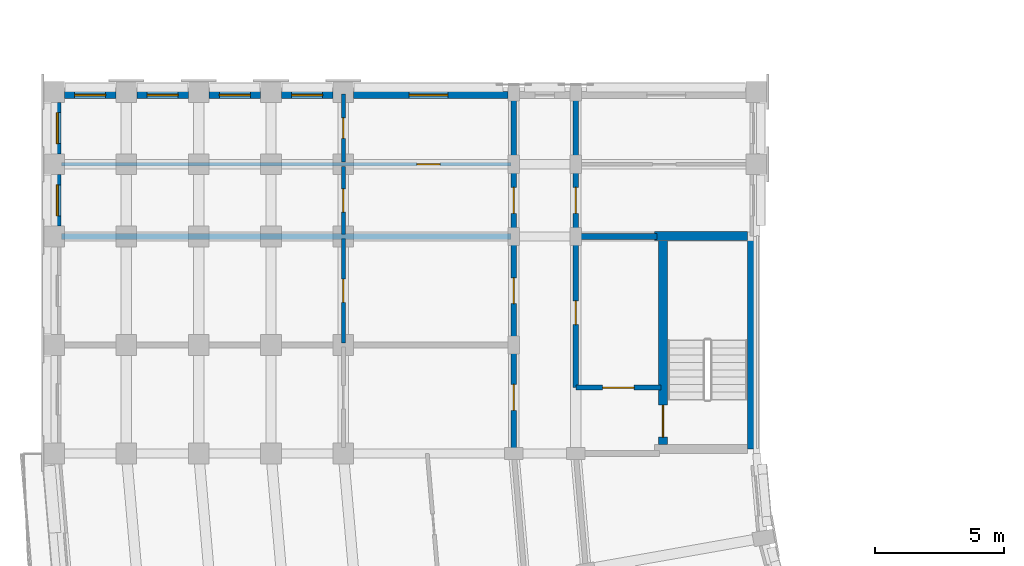
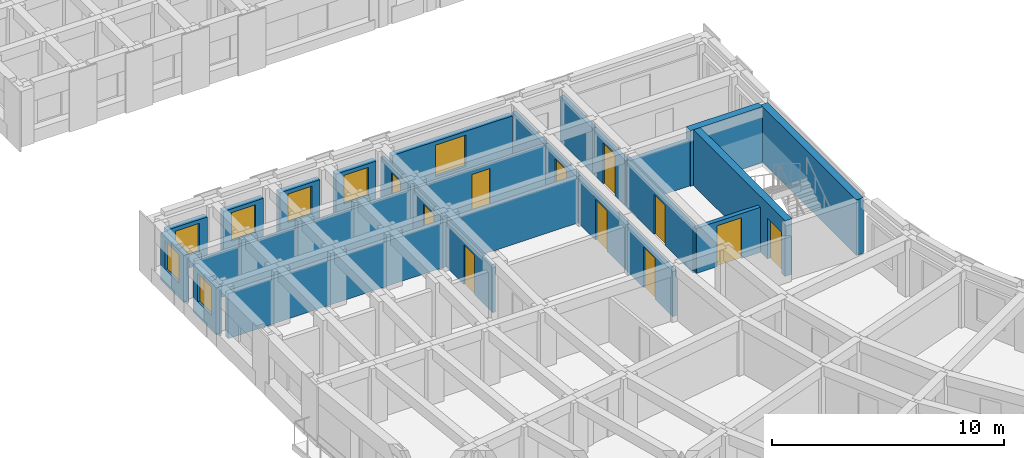
# One storey, part 19 of 54: 24 walls, 11 doors, 7 windows, 18 openings.
"""IFC4 building model written with IfcOpenShell, lengths in metres."""

from ifc_helpers import new_model, si_unit, direction, frame, frame_2d, origin, place, context, subcontext, project, spatial, rectangle, extrude, material, layer, layer_set, type_object, element, fill, save


model = new_model("IFC4")

# Units and contexts
model_context = context("Model", 3, precision=1e-05, world=origin(), true_north=direction((0.0, 1.0)))
body_context = subcontext(model_context, "Body", "Model", "MODEL_VIEW")
ifc_project = project(units=[si_unit("LENGTHUNIT", "METRE"), si_unit("AREAUNIT", "SQUARE_METRE"), si_unit("VOLUMEUNIT", "CUBIC_METRE"), si_unit("PLANEANGLEUNIT", "RADIAN"), si_unit("MASSUNIT", "GRAM", prefix="KILO")], contexts=[model_context])

# Site, building, storey
site_placement = place(None, origin())
site = spatial("IfcSite", under=ifc_project, at=site_placement, CompositionType="ELEMENT")
building_placement = place(site_placement, origin())
building = spatial("IfcBuilding", under=site, at=building_placement, Name="Kiranvali Square Residences", CompositionType="ELEMENT")
storey_placement = place(building_placement, frame((0.0, 0.0, 15.0)))
storey = spatial("IfcBuildingStorey", under=building, at=storey_placement, Name="L04", CompositionType="ELEMENT", Elevation=15.0)

# Wall, opening, door
ifc_material_1 = material(Name="Autoclaved aerated concrete blockwork masonry", Category="masonry")
ifc_layer_1 = layer(ifc_material_1, 0.199951171875)
ifc_layer_set_1 = layer_set([ifc_layer_1], Name="Autoclaved aerated concrete blockwork masonry")
wall_type_1 = type_object("IfcWallType", Name="WL-COR-200", PredefinedType="STANDARD", material=ifc_layer_set_1)
wall_1_placement = place(storey_placement, frame((25.699951171875, 50.75, 0.0), z_axis=(0.0, 0.0, 1.0), x_axis=(-1.0, 0.0, 0.0)))
wall_1 = element("IfcWall", 1, at=wall_1_placement, inside=storey, type_object=wall_type_1, Name="L04 architectural wall WL-L04-C-S3-V", PredefinedType="STANDARD", context=body_context, shape_type="SweptSolid", body=[
    extrude(rectangle(XDim=3.300048828125, YDim=0.199951171875, at=frame_2d((1.64990234375, 0.0))), origin(), (0.0, 0.0, 1.0), 2.3720703125),
])
opening_1_placement = place(wall_1_placement, frame((1.0400390625, 0.0, 0.0)))
opening_1 = element("IfcOpeningElement", 2, at=opening_1_placement, cuts=wall_1, Name="Opening FD-COR-60", PredefinedType="OPENING", context=body_context, shape_type="SweptSolid", body=[
    extrude(rectangle(XDim=1.219970703125, YDim=2.14990234375, at=frame_2d((0.60986328125, 1.074951171875))), frame((0.0, 0.10986328125, 0.0), z_axis=(0.0, -1.0, 0.0), x_axis=(1.0, 0.0, 0.0)), (0.0, 0.0, 1.0), 0.219970703125),
])
ifc_material_2 = material(Name="Fire-rated acoustic hardwood and mineral-core door assembly", Category="wood")
door_type_1 = type_object("IfcDoorType", Name="DR-FD60-1200", OperationType="NOTDEFINED", PredefinedType="DOOR", material=ifc_material_2)
door_1_placement = place(opening_1_placement, origin())
door_1 = element("IfcDoor", 3, at=door_1_placement, inside=storey, type_object=door_type_1, Name="L04 door DR-L04-1975 (DR-FD60-1200)", OperationType="SINGLE_SWING_LEFT", OverallHeight=2.14990234375, OverallWidth=1.219970703125, PredefinedType="DOOR", context=body_context, shape_type="SweptSolid", body=[
    extrude(rectangle(XDim=1.219970703125, YDim=2.14990234375, at=frame_2d((0.60986328125, 1.074951171875))), frame((0.0, 0.02490234375, 0.0), z_axis=(0.0, -1.0, 0.0), x_axis=(1.0, 0.0, 0.0)), (0.0, 0.0, 1.0), 0.050048828125),
])
fill(opening_1, door_1)

wall_2_placement = place(storey_placement, frame((22.39990234375, 50.75, 0.0), z_axis=(0.0, 0.0, 1.0), x_axis=(0.0, 1.0, 0.0)))
wall_2 = element("IfcWall", 4, at=wall_2_placement, inside=storey, type_object=wall_type_1, Name="L04 architectural wall WL-L04-C-S3-COR", PredefinedType="STANDARD", context=body_context, shape_type="SweptSolid", body=[
    extrude(rectangle(XDim=5.800048828125, YDim=0.199951171875, at=frame_2d((2.89990234375, 0.0))), origin(), (0.0, 0.0, 1.0), 2.3720703125),
])
opening_2_placement = place(wall_2_placement, frame((2.43994140625, 0.0, 0.0)))
opening_2 = element("IfcOpeningElement", 5, at=opening_2_placement, cuts=wall_2, Name="Opening FD-SVC-120", PredefinedType="OPENING", context=body_context, shape_type="SweptSolid", body=[
    extrude(rectangle(XDim=0.919921875, YDim=2.10009765625, at=frame_2d((0.4599609375, 1.050048828125))), frame((0.0, 0.10986328125, 0.0), z_axis=(0.0, -1.0, 0.0), x_axis=(1.0, 0.0, 0.0)), (0.0, 0.0, 1.0), 0.219970703125),
])
door_type_2 = type_object("IfcDoorType", Name="DR-SVC-900", OperationType="NOTDEFINED", PredefinedType="DOOR", material=ifc_material_2)
door_2_placement = place(opening_2_placement, frame((0.919921875, 0.0, 0.0), z_axis=(0.0, 0.0, 1.0), x_axis=(-1.0, 0.0, 0.0)))
door_2 = element("IfcDoor", 6, at=door_2_placement, inside=storey, type_object=door_type_2, Name="L04 door DR-L04-1976 (DR-SVC-900)", OperationType="SINGLE_SWING_RIGHT", OverallHeight=2.10009765625, OverallWidth=0.919921875, PredefinedType="DOOR", context=body_context, shape_type="SweptSolid", body=[
    extrude(rectangle(XDim=0.919921875, YDim=2.10009765625, at=frame_2d((0.4599609375, 1.050048828125))), frame((0.0, 0.02490234375, 0.0), z_axis=(0.0, -1.0, 0.0), x_axis=(1.0, 0.0, 0.0)), (0.0, 0.0, 1.0), 0.050048828125),
])
fill(opening_2, door_2)

wall_3_placement = place(storey_placement, frame((20.0, 48.35009765625, 0.0), z_axis=(0.0, 0.0, 1.0), x_axis=(0.0, 1.0, 0.0)))
wall_3 = element("IfcWall", 7, at=wall_3_placement, inside=storey, type_object=wall_type_1, Name="L04 architectural wall WL-L04-C-A2CF-C0", PredefinedType="STANDARD", context=body_context, shape_type="SweptSolid", body=[
    extrude(rectangle(XDim=4.0498046875, YDim=0.199951171875, at=frame_2d((2.02490234375, 0.0))), origin(), (0.0, 0.0, 1.0), 2.3720703125),
])
opening_3_placement = place(wall_3_placement, frame((1.52490234375, 0.0, 0.0)))
opening_3 = element("IfcOpeningElement", 8, at=opening_3_placement, cuts=wall_3, Name="Opening FD-APT-60", PredefinedType="OPENING", context=body_context, shape_type="SweptSolid", body=[
    extrude(rectangle(XDim=1.0, YDim=2.14990234375, at=frame_2d((0.5, 1.074951171875))), frame((0.0, 0.10986328125, 0.0), z_axis=(0.0, -1.0, 0.0), x_axis=(1.0, 0.0, 0.0)), (0.0, 0.0, 1.0), 0.219970703125),
])
door_type_3 = type_object("IfcDoorType", Name="DR-APT-1000", OperationType="NOTDEFINED", PredefinedType="DOOR", material=ifc_material_2)
door_3_placement = place(opening_3_placement, frame((1.0, 0.0, 0.0), z_axis=(0.0, 0.0, 1.0), x_axis=(-1.0, 0.0, 0.0)))
door_3 = element("IfcDoor", 9, at=door_3_placement, inside=storey, type_object=door_type_3, Name="L04 door DR-L04-2010 (DR-APT-1000)", OperationType="SINGLE_SWING_RIGHT", OverallHeight=2.14990234375, OverallWidth=1.0, PredefinedType="DOOR", context=body_context, shape_type="SweptSolid", body=[
    extrude(rectangle(XDim=1.0, YDim=2.14990234375, at=frame_2d((0.5, 1.074951171875))), frame((0.0, 0.02490234375, 0.0), z_axis=(0.0, -1.0, 0.0), x_axis=(1.0, 0.0, 0.0)), (0.0, 0.0, 1.0), 0.050048828125),
])
fill(opening_3, door_3)

wall_4_placement = place(storey_placement, frame((20.0, 52.39990234375, 0.0), z_axis=(0.0, 0.0, 1.0), x_axis=(0.0, 1.0, 0.0)))
wall_4 = element("IfcWall", 10, at=wall_4_placement, inside=storey, type_object=wall_type_1, Name="L04 architectural wall WL-L04-C-A2CF-C1", PredefinedType="STANDARD", context=body_context, shape_type="SweptSolid", body=[
    extrude(rectangle(XDim=4.2001953125, YDim=0.199951171875, at=frame_2d((2.10009765625, 0.0))), origin(), (0.0, 0.0, 1.0), 2.3720703125),
])
opening_4_placement = place(wall_4_placement, frame((1.60009765625, 0.0, 0.0)))
opening_4 = element("IfcOpeningElement", 11, at=opening_4_placement, cuts=wall_4, Name="Opening FD-APT-60", PredefinedType="OPENING", context=body_context, shape_type="SweptSolid", body=[
    extrude(rectangle(XDim=1.0, YDim=2.14990234375, at=frame_2d((0.5, 1.074951171875))), frame((0.0, 0.10986328125, 0.0), z_axis=(0.0, -1.0, 0.0), x_axis=(1.0, 0.0, 0.0)), (0.0, 0.0, 1.0), 0.219970703125),
])
door_4_placement = place(opening_4_placement, frame((1.0, 0.0, 0.0), z_axis=(0.0, 0.0, 1.0), x_axis=(-1.0, 0.0, 0.0)))
door_4 = element("IfcDoor", 12, at=door_4_placement, inside=storey, type_object=door_type_3, Name="L04 door DR-L04-2012 (DR-APT-1000)", OperationType="SINGLE_SWING_RIGHT", OverallHeight=2.14990234375, OverallWidth=1.0, PredefinedType="DOOR", context=body_context, shape_type="SweptSolid", body=[
    extrude(rectangle(XDim=1.0, YDim=2.14990234375, at=frame_2d((0.5, 1.074951171875))), frame((0.0, 0.02490234375, 0.0), z_axis=(0.0, -1.0, 0.0), x_axis=(1.0, 0.0, 0.0)), (0.0, 0.0, 1.0), 0.050048828125),
])
fill(opening_4, door_4)

wall_5_placement = place(storey_placement, frame((22.39990234375, 56.60009765625, 0.0), z_axis=(0.0, 0.0, 1.0), x_axis=(0.0, 1.0, 0.0)))
wall_5 = element("IfcWall", 13, at=wall_5_placement, inside=storey, type_object=wall_type_1, Name="L04 architectural wall WL-L04-C-A2CI-0", PredefinedType="STANDARD", context=body_context, shape_type="SweptSolid", body=[
    extrude(rectangle(XDim=2.7998046875, YDim=0.199951171875, at=frame_2d((1.39990234375, 0.0))), origin(), (0.0, 0.0, 1.0), 2.3720703125),
])
opening_5_placement = place(wall_5_placement, frame((0.89990234375, 0.0, 0.0)))
opening_5 = element("IfcOpeningElement", 14, at=opening_5_placement, cuts=wall_5, Name="Opening FD-APT-60", PredefinedType="OPENING", context=body_context, shape_type="SweptSolid", body=[
    extrude(rectangle(XDim=1.0, YDim=2.14990234375, at=frame_2d((0.5, 1.074951171875))), frame((0.0, 0.10986328125, 0.0), z_axis=(0.0, -1.0, 0.0), x_axis=(1.0, 0.0, 0.0)), (0.0, 0.0, 1.0), 0.219970703125),
])
door_5_placement = place(opening_5_placement, frame((1.0, 0.0, 0.0), z_axis=(0.0, 0.0, 1.0), x_axis=(-1.0, 0.0, 0.0)))
door_5 = element("IfcDoor", 15, at=door_5_placement, inside=storey, type_object=door_type_3, Name="L04 door DR-L04-2014 (DR-APT-1000)", OperationType="SINGLE_SWING_RIGHT", OverallHeight=2.14990234375, OverallWidth=1.0, PredefinedType="DOOR", context=body_context, shape_type="SweptSolid", body=[
    extrude(rectangle(XDim=1.0, YDim=2.14990234375, at=frame_2d((0.5, 1.074951171875))), frame((0.0, 0.02490234375, 0.0), z_axis=(0.0, -1.0, 0.0), x_axis=(1.0, 0.0, 0.0)), (0.0, 0.0, 1.0), 0.050048828125),
])
fill(opening_5, door_5)

wall_6_placement = place(storey_placement, frame((20.0, 56.60009765625, 0.0), z_axis=(0.0, 0.0, 1.0), x_axis=(0.0, 1.0, 0.0)))
wall_6 = element("IfcWall", 16, at=wall_6_placement, inside=storey, type_object=wall_type_1, Name="L04 architectural wall WL-L04-C-A2CO-0", PredefinedType="STANDARD", context=body_context, shape_type="SweptSolid", body=[
    extrude(rectangle(XDim=2.7998046875, YDim=0.199951171875, at=frame_2d((1.39990234375, 0.0))), origin(), (0.0, 0.0, 1.0), 2.3720703125),
])
opening_6_placement = place(wall_6_placement, frame((0.89990234375, 0.0, 0.0)))
opening_6 = element("IfcOpeningElement", 17, at=opening_6_placement, cuts=wall_6, Name="Opening FD-APT-60", PredefinedType="OPENING", context=body_context, shape_type="SweptSolid", body=[
    extrude(rectangle(XDim=1.0, YDim=2.14990234375, at=frame_2d((0.5, 1.074951171875))), frame((0.0, 0.10986328125, 0.0), z_axis=(0.0, -1.0, 0.0), x_axis=(1.0, 0.0, 0.0)), (0.0, 0.0, 1.0), 0.219970703125),
])
door_6_placement = place(opening_6_placement, frame((1.0, 0.0, 0.0), z_axis=(0.0, 0.0, 1.0), x_axis=(-1.0, 0.0, 0.0)))
door_6 = element("IfcDoor", 18, at=door_6_placement, inside=storey, type_object=door_type_3, Name="L04 door DR-L04-2016 (DR-APT-1000)", OperationType="SINGLE_SWING_RIGHT", OverallHeight=2.14990234375, OverallWidth=1.0, PredefinedType="DOOR", context=body_context, shape_type="SweptSolid", body=[
    extrude(rectangle(XDim=1.0, YDim=2.14990234375, at=frame_2d((0.5, 1.074951171875))), frame((0.0, 0.02490234375, 0.0), z_axis=(0.0, -1.0, 0.0), x_axis=(1.0, 0.0, 0.0)), (0.0, 0.0, 1.0), 0.050048828125),
])
fill(opening_6, door_6)

# Walls
for number, where, z_axis, x_axis, name in (
    (19, (22.39990234375, 59.39990234375, 0.0), (0.0, 0.0, 1.0), (0.0, 1.0, 0.0), "L04 architectural wall WL-L04-C-A2CI-1"),
    (20, (20.0, 59.39990234375, 0.0), (0.0, 0.0, 1.0), (0.0, 1.0, 0.0), "L04 architectural wall WL-L04-C-A2CO-1"),
):
    element("IfcWall", number, at=place(storey_placement, frame(where, z_axis=z_axis, x_axis=x_axis)), inside=storey, type_object=wall_type_1, Name=name, PredefinedType="STANDARD", context=body_context, shape_type="SweptSolid", body=[
        extrude(rectangle(XDim=2.800048828125, YDim=0.199951171875, at=frame_2d((1.39990234375, 0.0))), origin(), (0.0, 0.0, 1.0), 2.3720703125),
    ])
ifc_layer_2 = layer(ifc_material_1, 0.219970703125)
ifc_layer_set_2 = layer_set([ifc_layer_2], Name="Autoclaved aerated concrete blockwork masonry")
wall_type_2 = type_object("IfcWallType", Name="WL-DEM-220", PredefinedType="STANDARD", material=ifc_layer_set_2)
wall_7_placement = place(storey_placement, frame((25.550048828125, 56.60009765625, 0.0), z_axis=(0.0, 0.0, 1.0), x_axis=(-1.0, 0.0, 0.0)))
element("IfcWall", 21, at=wall_7_placement, inside=storey, type_object=wall_type_2, Name="L04 architectural wall WL-L04-C-A2TI-0", PredefinedType="STANDARD", context=body_context, shape_type="SweptSolid", body=[
    extrude(rectangle(XDim=3.10009765625, YDim=0.219970703125, at=frame_2d((1.550048828125, 0.0))), origin(), (0.0, 0.0, 1.0), 2.3720703125),
])
wall_8_placement = place(storey_placement, frame((19.89990234375, 56.60009765625, 0.0), z_axis=(0.0, 0.0, 1.0), x_axis=(-1.0, 0.0, 0.0)))
element("IfcWall", 22, at=wall_8_placement, inside=storey, type_object=wall_type_2, Name="L04 architectural wall WL-L04-C-A2TO-0", PredefinedType="STANDARD", context=body_context, shape_type="SweptSolid", body=[
    extrude(rectangle(XDim=17.419921875, YDim=0.219970703125, at=frame_2d((8.7099609375, 0.0))), origin(), (0.0, 0.0, 1.0), 2.3720703125),
])

# Wall, opening, window
ifc_material_3 = material(Name="Breathable lime-rendered clay brick masonry", Category="masonry")
ifc_layer_3 = layer(ifc_material_3, 0.27490234375)
ifc_layer_set_3 = layer_set([ifc_layer_3], Name="Breathable lime-rendered clay brick masonry")
wall_type_3 = type_object("IfcWallType", Name="WL-EXT-275", PredefinedType="STANDARD", material=ifc_layer_set_3)
wall_9_placement = place(storey_placement, frame((2.324951171875, 57.00341796875, 0.0), z_axis=(0.0, 0.0, 1.0), x_axis=(0.0, 1.0, 0.0)))
wall_9 = element("IfcWall", 23, at=wall_9_placement, inside=storey, type_object=wall_type_3, Name="L04 exterior wall C-L04-A2O-2", PredefinedType="STANDARD", context=body_context, shape_type="SweptSolid", body=[
    extrude(rectangle(XDim=1.9931640625, YDim=0.27490234375, at=frame_2d((0.99658203125, 0.0))), origin(), (0.0, 0.0, 1.0), 2.471923828125),
])
opening_7_placement = place(wall_9_placement, frame((0.396484375, 0.0, 0.77197265625)))
opening_7 = element("IfcOpeningElement", 24, at=opening_7_placement, cuts=wall_9, Name="Opening W-06", PredefinedType="OPENING", context=body_context, shape_type="SweptSolid", body=[
    extrude(rectangle(XDim=1.199951171875, YDim=1.5, at=frame_2d((0.60009765625, 0.75))), frame((0.0, 0.1474609375, 0.0), z_axis=(0.0, -1.0, 0.0), x_axis=(1.0, 0.0, 0.0)), (0.0, 0.0, 1.0), 0.294921875),
])
ifc_material_4 = material(Name="Solar-control low-e double glazing", Category="glass")
window_type_1 = type_object("IfcWindowType", Name="WIN-RES-1200x1500", PartitioningType="SINGLE_PANEL", PredefinedType="WINDOW", material=ifc_material_4)
window_1_placement = place(opening_7_placement, origin())
window_1 = element("IfcWindow", 25, at=window_1_placement, inside=storey, type_object=window_type_1, Name="L04 recessed window C-L04-A2O-2", OverallHeight=1.5, OverallWidth=1.199951171875, PartitioningType="SINGLE_PANEL", PredefinedType="WINDOW", context=body_context, shape_type="SweptSolid", body=[
    extrude(rectangle(XDim=1.199951171875, YDim=1.5, at=frame_2d((0.60009765625, 0.75))), frame((0.0, 0.030029296875, 0.0), z_axis=(0.0, -1.0, 0.0), x_axis=(1.0, 0.0, 0.0)), (0.0, 0.0, 1.0), 0.06005859375),
])
fill(opening_7, window_1)

wall_10_placement = place(storey_placement, frame((2.324951171875, 59.803466796875, 0.0), z_axis=(0.0, 0.0, 1.0), x_axis=(0.0, 1.0, 0.0)))
wall_10 = element("IfcWall", 26, at=wall_10_placement, inside=storey, type_object=wall_type_3, Name="L04 exterior wall C-L04-A2O-3", PredefinedType="STANDARD", context=body_context, shape_type="SweptSolid", body=[
    extrude(rectangle(XDim=1.992919921875, YDim=0.27490234375, at=frame_2d((0.99658203125, 0.0))), origin(), (0.0, 0.0, 1.0), 2.471923828125),
])
opening_8_placement = place(wall_10_placement, frame((0.396484375, 0.0, 0.77197265625)))
opening_8 = element("IfcOpeningElement", 27, at=opening_8_placement, cuts=wall_10, Name="Opening W-06", PredefinedType="OPENING", context=body_context, shape_type="SweptSolid", body=[
    extrude(rectangle(XDim=1.199951171875, YDim=1.5, at=frame_2d((0.60009765625, 0.75))), frame((0.0, 0.1474609375, 0.0), z_axis=(0.0, -1.0, 0.0), x_axis=(1.0, 0.0, 0.0)), (0.0, 0.0, 1.0), 0.294921875),
])
window_2_placement = place(opening_8_placement, origin())
window_2 = element("IfcWindow", 28, at=window_2_placement, inside=storey, type_object=window_type_1, Name="L04 recessed window C-L04-A2O-3", OverallHeight=1.5, OverallWidth=1.199951171875, PartitioningType="SINGLE_PANEL", PredefinedType="WINDOW", context=body_context, shape_type="SweptSolid", body=[
    extrude(rectangle(XDim=1.199951171875, YDim=1.5, at=frame_2d((0.60009765625, 0.75))), frame((0.0, 0.030029296875, 0.0), z_axis=(0.0, -1.0, 0.0), x_axis=(1.0, 0.0, 0.0)), (0.0, 0.0, 1.0), 0.06005859375),
])
fill(opening_8, window_2)

wall_11_placement = place(storey_placement, frame((19.771484375, 62.074951171875, 0.0), z_axis=(0.0, 0.0, 1.0), x_axis=(-1.0, 0.0, 0.0)))
wall_11 = element("IfcWall", 29, at=wall_11_placement, inside=storey, type_object=wall_type_3, Name="L04 exterior wall C-L04-A2END-2", PredefinedType="STANDARD", context=body_context, shape_type="SweptSolid", body=[
    extrude(rectangle(XDim=5.968017578125, YDim=0.27490234375, at=frame_2d((2.98388671875, 0.0))), origin(), (0.0, 0.0, 1.0), 2.3720703125),
])
opening_9_placement = place(wall_11_placement, frame((2.321533203125, 0.0, 0.52197265625)))
opening_9 = element("IfcOpeningElement", 30, at=opening_9_placement, cuts=wall_11, Name="Opening W-05", PredefinedType="OPENING", context=body_context, shape_type="SweptSolid", body=[
    extrude(rectangle(XDim=1.5, YDim=1.64990234375, at=frame_2d((0.75, 0.824951171875))), frame((0.0, 0.1474609375, 0.0), z_axis=(0.0, -1.0, 0.0), x_axis=(1.0, 0.0, 0.0)), (0.0, 0.0, 1.0), 0.294921875),
])
window_type_2 = type_object("IfcWindowType", Name="WIN-RES-1500x1650", PartitioningType="DOUBLE_PANEL_VERTICAL", PredefinedType="WINDOW", material=ifc_material_4)
window_3_placement = place(opening_9_placement, origin())
window_3 = element("IfcWindow", 31, at=window_3_placement, inside=storey, type_object=window_type_2, Name="L04 recessed window C-L04-A2END-2", OverallHeight=1.64990234375, OverallWidth=1.5, PartitioningType="DOUBLE_PANEL_VERTICAL", PredefinedType="WINDOW", context=body_context, shape_type="SweptSolid", body=[
    extrude(rectangle(XDim=1.5, YDim=1.64990234375, at=frame_2d((0.75, 0.824951171875))), frame((0.0, 0.030029296875, 0.0), z_axis=(0.0, -1.0, 0.0), x_axis=(1.0, 0.0, 0.0)), (0.0, 0.0, 1.0), 0.06005859375),
])
fill(opening_9, window_3)

wall_12_placement = place(storey_placement, frame((12.99658203125, 62.074951171875, 0.0), z_axis=(0.0, 0.0, 1.0), x_axis=(-1.0, 0.0, 0.0)))
wall_12 = element("IfcWall", 32, at=wall_12_placement, inside=storey, type_object=wall_type_3, Name="L04 exterior wall C-L04-A2END-3", PredefinedType="STANDARD", context=body_context, shape_type="SweptSolid", body=[
    extrude(rectangle(XDim=1.9931640625, YDim=0.27490234375, at=frame_2d((0.99658203125, 0.0))), origin(), (0.0, 0.0, 1.0), 2.3720703125),
])
opening_10_placement = place(wall_12_placement, frame((0.396484375, 0.0, 0.672119140625)))
opening_10 = element("IfcOpeningElement", 33, at=opening_10_placement, cuts=wall_12, Name="Opening W-06", PredefinedType="OPENING", context=body_context, shape_type="SweptSolid", body=[
    extrude(rectangle(XDim=1.199951171875, YDim=1.5, at=frame_2d((0.60009765625, 0.75))), frame((0.0, 0.1474609375, 0.0), z_axis=(0.0, -1.0, 0.0), x_axis=(1.0, 0.0, 0.0)), (0.0, 0.0, 1.0), 0.294921875),
])
window_4_placement = place(opening_10_placement, origin())
window_4 = element("IfcWindow", 34, at=window_4_placement, inside=storey, type_object=window_type_1, Name="L04 recessed window C-L04-A2END-3", OverallHeight=1.5, OverallWidth=1.199951171875, PartitioningType="SINGLE_PANEL", PredefinedType="WINDOW", context=body_context, shape_type="SweptSolid", body=[
    extrude(rectangle(XDim=1.199951171875, YDim=1.5, at=frame_2d((0.60009765625, 0.75))), frame((0.0, 0.030029296875, 0.0), z_axis=(0.0, -1.0, 0.0), x_axis=(1.0, 0.0, 0.0)), (0.0, 0.0, 1.0), 0.06005859375),
])
fill(opening_10, window_4)

wall_13_placement = place(storey_placement, frame((10.196533203125, 62.074951171875, 0.0), z_axis=(0.0, 0.0, 1.0), x_axis=(-1.0, 0.0, 0.0)))
wall_13 = element("IfcWall", 35, at=wall_13_placement, inside=storey, type_object=wall_type_3, Name="L04 exterior wall C-L04-A2END-4", PredefinedType="STANDARD", context=body_context, shape_type="SweptSolid", body=[
    extrude(rectangle(XDim=1.992919921875, YDim=0.27490234375, at=frame_2d((0.99658203125, 0.0))), origin(), (0.0, 0.0, 1.0), 2.3720703125),
])
opening_11_placement = place(wall_13_placement, frame((0.396484375, 0.0, 0.672119140625)))
opening_11 = element("IfcOpeningElement", 36, at=opening_11_placement, cuts=wall_13, Name="Opening W-06", PredefinedType="OPENING", context=body_context, shape_type="SweptSolid", body=[
    extrude(rectangle(XDim=1.199951171875, YDim=1.5, at=frame_2d((0.60009765625, 0.75))), frame((0.0, 0.1474609375, 0.0), z_axis=(0.0, -1.0, 0.0), x_axis=(1.0, 0.0, 0.0)), (0.0, 0.0, 1.0), 0.294921875),
])
window_5_placement = place(opening_11_placement, origin())
window_5 = element("IfcWindow", 37, at=window_5_placement, inside=storey, type_object=window_type_1, Name="L04 recessed window C-L04-A2END-4", OverallHeight=1.5, OverallWidth=1.199951171875, PartitioningType="SINGLE_PANEL", PredefinedType="WINDOW", context=body_context, shape_type="SweptSolid", body=[
    extrude(rectangle(XDim=1.199951171875, YDim=1.5, at=frame_2d((0.60009765625, 0.75))), frame((0.0, 0.030029296875, 0.0), z_axis=(0.0, -1.0, 0.0), x_axis=(1.0, 0.0, 0.0)), (0.0, 0.0, 1.0), 0.06005859375),
])
fill(opening_11, window_5)

wall_14_placement = place(storey_placement, frame((7.396484375, 62.074951171875, 0.0), z_axis=(0.0, 0.0, 1.0), x_axis=(-1.0, 0.0, 0.0)))
wall_14 = element("IfcWall", 38, at=wall_14_placement, inside=storey, type_object=wall_type_3, Name="L04 exterior wall C-L04-A2END-5", PredefinedType="STANDARD", context=body_context, shape_type="SweptSolid", body=[
    extrude(rectangle(XDim=1.992919921875, YDim=0.27490234375, at=frame_2d((0.99658203125, 0.0))), origin(), (0.0, 0.0, 1.0), 2.3720703125),
])
opening_12_placement = place(wall_14_placement, frame((0.396484375, 0.0, 0.672119140625)))
opening_12 = element("IfcOpeningElement", 39, at=opening_12_placement, cuts=wall_14, Name="Opening W-06", PredefinedType="OPENING", context=body_context, shape_type="SweptSolid", body=[
    extrude(rectangle(XDim=1.199951171875, YDim=1.5, at=frame_2d((0.60009765625, 0.75))), frame((0.0, 0.1474609375, 0.0), z_axis=(0.0, -1.0, 0.0), x_axis=(1.0, 0.0, 0.0)), (0.0, 0.0, 1.0), 0.294921875),
])
window_6_placement = place(opening_12_placement, origin())
window_6 = element("IfcWindow", 40, at=window_6_placement, inside=storey, type_object=window_type_1, Name="L04 recessed window C-L04-A2END-5", OverallHeight=1.5, OverallWidth=1.199951171875, PartitioningType="SINGLE_PANEL", PredefinedType="WINDOW", context=body_context, shape_type="SweptSolid", body=[
    extrude(rectangle(XDim=1.199951171875, YDim=1.5, at=frame_2d((0.60009765625, 0.75))), frame((0.0, 0.030029296875, 0.0), z_axis=(0.0, -1.0, 0.0), x_axis=(1.0, 0.0, 0.0)), (0.0, 0.0, 1.0), 0.06005859375),
])
fill(opening_12, window_6)

wall_15_placement = place(storey_placement, frame((4.596435546875, 62.074951171875, 0.0), z_axis=(0.0, 0.0, 1.0), x_axis=(-1.0, 0.0, 0.0)))
wall_15 = element("IfcWall", 41, at=wall_15_placement, inside=storey, type_object=wall_type_3, Name="L04 exterior wall C-L04-A2END-6", PredefinedType="STANDARD", context=body_context, shape_type="SweptSolid", body=[
    extrude(rectangle(XDim=1.992919921875, YDim=0.27490234375, at=frame_2d((0.99658203125, 0.0))), origin(), (0.0, 0.0, 1.0), 2.3720703125),
])
opening_13_placement = place(wall_15_placement, frame((0.396484375, 0.0, 0.672119140625)))
opening_13 = element("IfcOpeningElement", 42, at=opening_13_placement, cuts=wall_15, Name="Opening W-06", PredefinedType="OPENING", context=body_context, shape_type="SweptSolid", body=[
    extrude(rectangle(XDim=1.199951171875, YDim=1.5, at=frame_2d((0.60009765625, 0.75))), frame((0.0, 0.1474609375, 0.0), z_axis=(0.0, -1.0, 0.0), x_axis=(1.0, 0.0, 0.0)), (0.0, 0.0, 1.0), 0.294921875),
])
window_7_placement = place(opening_13_placement, origin())
window_7 = element("IfcWindow", 43, at=window_7_placement, inside=storey, type_object=window_type_1, Name="L04 recessed window C-L04-A2END-6", OverallHeight=1.5, OverallWidth=1.199951171875, PartitioningType="SINGLE_PANEL", PredefinedType="WINDOW", context=body_context, shape_type="SweptSolid", body=[
    extrude(rectangle(XDim=1.199951171875, YDim=1.5, at=frame_2d((0.60009765625, 0.75))), frame((0.0, 0.030029296875, 0.0), z_axis=(0.0, -1.0, 0.0), x_axis=(1.0, 0.0, 0.0)), (0.0, 0.0, 1.0), 0.06005859375),
])
fill(opening_13, window_7)

# Wall, opening, door
ifc_material_5 = material(Name="Acoustic gypsum board drylined partition", Category="gypsum")
ifc_layer_4 = layer(ifc_material_5, 0.14990234375)
ifc_layer_set_4 = layer_set([ifc_layer_4], Name="Acoustic gypsum board drylined partition")
wall_type_4 = type_object("IfcWallType", Name="WL-PRT-150", PredefinedType="PARTITIONING", material=ifc_layer_set_4)
wall_16_placement = place(storey_placement, frame((13.39990234375, 52.47998046875, 0.0), z_axis=(0.0, 0.0, 1.0), x_axis=(0.0, 1.0, 0.0)))
wall_16 = element("IfcWall", 44, at=wall_16_placement, inside=storey, type_object=wall_type_4, Name="L04 architectural wall WL-L04-C-A2CF-SP1", PredefinedType="PARTITIONING", context=body_context, shape_type="SweptSolid", body=[
    extrude(rectangle(XDim=4.0400390625, YDim=0.14990234375, at=frame_2d((2.02001953125, 0.0))), origin(), (0.0, 0.0, 1.0), 2.3720703125),
])
opening_14_placement = place(wall_16_placement, frame((1.570068359375, 0.0, 0.0)))
opening_14 = element("IfcOpeningElement", 45, at=opening_14_placement, cuts=wall_16, Name="Opening ID-1", PredefinedType="OPENING", context=body_context, shape_type="SweptSolid", body=[
    extrude(rectangle(XDim=0.89990234375, YDim=2.10009765625, at=frame_2d((0.449951171875, 1.050048828125))), frame((0.0, 0.0849609375, 0.0), z_axis=(0.0, -1.0, 0.0), x_axis=(1.0, 0.0, 0.0)), (0.0, 0.0, 1.0), 0.169921875),
])
ifc_material_6 = material(Name="Solid seasoned teak hardwood joinery", Category="wood")
door_type_4 = type_object("IfcDoorType", Name="DR-INT-900", OperationType="NOTDEFINED", PredefinedType="DOOR", material=ifc_material_6)
door_7_placement = place(opening_14_placement, origin())
door_7 = element("IfcDoor", 46, at=door_7_placement, inside=storey, type_object=door_type_4, Name="L04 door DR-L04-2013 (DR-INT-900)", OperationType="SINGLE_SWING_LEFT", OverallHeight=2.10009765625, OverallWidth=0.89990234375, PredefinedType="DOOR", context=body_context, shape_type="SweptSolid", body=[
    extrude(rectangle(XDim=0.89990234375, YDim=2.10009765625, at=frame_2d((0.449951171875, 1.050048828125))), frame((0.0, 0.02490234375, 0.0), z_axis=(0.0, -1.0, 0.0), x_axis=(1.0, 0.0, 0.0)), (0.0, 0.0, 1.0), 0.050048828125),
])
fill(opening_14, door_7)

wall_17_placement = place(storey_placement, frame((19.89990234375, 59.39990234375, 0.0), z_axis=(0.0, 0.0, 1.0), x_axis=(-1.0, 0.0, 0.0)))
wall_17 = element("IfcWall", 47, at=wall_17_placement, inside=storey, type_object=wall_type_4, Name="L04 architectural wall WL-L04-C-A2TO-1", PredefinedType="PARTITIONING", context=body_context, shape_type="SweptSolid", body=[
    extrude(rectangle(XDim=17.419921875, YDim=0.14990234375, at=frame_2d((8.7099609375, 0.0))), origin(), (0.0, 0.0, 1.0), 2.3720703125),
])
opening_15_placement = place(wall_17_placement, frame((2.75, 0.0, 0.0)))
opening_15 = element("IfcOpeningElement", 48, at=opening_15_placement, cuts=wall_17, Name="Opening ID-1", PredefinedType="OPENING", context=body_context, shape_type="SweptSolid", body=[
    extrude(rectangle(XDim=0.89990234375, YDim=2.10009765625, at=frame_2d((0.449951171875, 1.050048828125))), frame((0.0, 0.0849609375, 0.0), z_axis=(0.0, -1.0, 0.0), x_axis=(1.0, 0.0, 0.0)), (0.0, 0.0, 1.0), 0.169921875),
])
door_8_placement = place(opening_15_placement, origin())
door_8 = element("IfcDoor", 49, at=door_8_placement, inside=storey, type_object=door_type_4, Name="L04 door DR-L04-2019 (DR-INT-900)", OperationType="SINGLE_SWING_LEFT", OverallHeight=2.10009765625, OverallWidth=0.89990234375, PredefinedType="DOOR", context=body_context, shape_type="SweptSolid", body=[
    extrude(rectangle(XDim=0.89990234375, YDim=2.10009765625, at=frame_2d((0.449951171875, 1.050048828125))), frame((0.0, 0.02490234375, 0.0), z_axis=(0.0, -1.0, 0.0), x_axis=(1.0, 0.0, 0.0)), (0.0, 0.0, 1.0), 0.050048828125),
])
fill(opening_15, door_8)

# Wall
ifc_material_7 = material(Name="Concrete M50 (50 MPa)", Category="concrete")
ifc_layer_5 = layer(ifc_material_7, 0.35009765625)
ifc_layer_set_5 = layer_set([ifc_layer_5], Name="Concrete M50 (50 MPa)")
wall_type_5 = type_object("IfcWallType", Name="WL-SHR-350", PredefinedType="SHEAR", material=ifc_layer_set_5)
wall_18_placement = place(storey_placement, frame((29.22509765625, 48.375, 0.0), z_axis=(0.0, 0.0, 1.0), x_axis=(0.0, 1.0, 0.0)))
element("IfcWall", 50, at=wall_18_placement, inside=storey, type_object=wall_type_5, Name="Block C core shear wall SW-C3-OUT-L04", PredefinedType="SHEAR", context=body_context, shape_type="SweptSolid", body=[
    extrude(rectangle(XDim=8.25, YDim=0.35009765625, at=frame_2d((4.125, 0.0))), origin(), (0.0, 0.0, 1.0), 2.929931640625),
])

# Wall, opening, door
wall_19_placement = place(storey_placement, frame((25.77490234375, 48.550048828125, 0.0), z_axis=(0.0, 0.0, 1.0), x_axis=(0.0, 1.0, 0.0)))
wall_19 = element("IfcWall", 51, at=wall_19_placement, inside=storey, type_object=wall_type_5, Name="Block C core shear wall SW-C3-IN-L04", PredefinedType="SHEAR", context=body_context, shape_type="SweptSolid", body=[
    extrude(rectangle(XDim=7.89990234375, YDim=0.35009765625, at=frame_2d((3.949951171875, 0.0))), origin(), (0.0, 0.0, 1.0), 2.929931640625),
])
opening_16_placement = place(wall_19_placement, frame((0.280029296875, 0.0, 0.0)))
opening_16 = element("IfcOpeningElement", 52, at=opening_16_placement, cuts=wall_19, Name="Opening FD-ST-120", PredefinedType="OPENING", context=body_context, shape_type="SweptSolid", body=[
    extrude(rectangle(XDim=1.239990234375, YDim=2.14990234375, at=frame_2d((0.6201171875, 1.074951171875))), frame((0.0, 0.18505859375, 0.0), z_axis=(0.0, -1.0, 0.0), x_axis=(1.0, 0.0, 0.0)), (0.0, 0.0, 1.0), 0.3701171875),
])
door_type_5 = type_object("IfcDoorType", Name="DR-FD120-1200", OperationType="NOTDEFINED", PredefinedType="DOOR", material=ifc_material_2)
door_9_placement = place(opening_16_placement, frame((1.239990234375, 0.0, 0.0), z_axis=(0.0, 0.0, 1.0), x_axis=(-1.0, 0.0, 0.0)))
door_9 = element("IfcDoor", 53, at=door_9_placement, inside=storey, type_object=door_type_5, Name="L04 door DR-L04-1971 (DR-FD120-1200)", OperationType="SINGLE_SWING_LEFT", OverallHeight=2.14990234375, OverallWidth=1.239990234375, PredefinedType="DOOR", context=body_context, shape_type="SweptSolid", body=[
    extrude(rectangle(XDim=1.239990234375, YDim=2.14990234375, at=frame_2d((0.6201171875, 1.074951171875))), frame((0.0, 0.02490234375, 0.0), z_axis=(0.0, -1.0, 0.0), x_axis=(1.0, 0.0, 0.0)), (0.0, 0.0, 1.0), 0.050048828125),
])
fill(opening_16, door_9)

# Wall
wall_20_placement = place(storey_placement, frame((29.050048828125, 56.625, 0.0), z_axis=(0.0, 0.0, 1.0), x_axis=(-1.0, 0.0, 0.0)))
element("IfcWall", 54, at=wall_20_placement, inside=storey, type_object=wall_type_5, Name="Block C core shear wall SW-C3-FAR-L04", PredefinedType="SHEAR", context=body_context, shape_type="SweptSolid", body=[
    extrude(rectangle(XDim=3.60009765625, YDim=0.35009765625, at=frame_2d((1.800048828125, 0.0))), origin(), (0.0, 0.0, 1.0), 2.929931640625),
])

# Wall, opening, door
ifc_layer_6 = layer(ifc_material_1, 0.14990234375)
ifc_layer_set_6 = layer_set([ifc_layer_6], Name="Autoclaved aerated concrete blockwork masonry")
wall_type_6 = type_object("IfcWallType", Name="WL-WET-150", PredefinedType="PLUMBINGWALL", material=ifc_layer_set_6)
wall_21_placement = place(storey_placement, frame((13.39990234375, 56.679931640625, 0.0), z_axis=(0.0, 0.0, 1.0), x_axis=(0.0, 1.0, 0.0)))
wall_21 = element("IfcWall", 55, at=wall_21_placement, inside=storey, type_object=wall_type_6, Name="L04 architectural wall WL-L04-C-A2SP-0", PredefinedType="PLUMBINGWALL", context=body_context, shape_type="SweptSolid", body=[
    extrude(rectangle(XDim=2.64013671875, YDim=0.14990234375, at=frame_2d((1.320068359375, 0.0))), origin(), (0.0, 0.0, 1.0), 2.3720703125),
])
opening_17_placement = place(wall_21_placement, frame((0.8701171875, 0.0, 0.0)))
opening_17 = element("IfcOpeningElement", 56, at=opening_17_placement, cuts=wall_21, Name="Opening ID-1", PredefinedType="OPENING", context=body_context, shape_type="SweptSolid", body=[
    extrude(rectangle(XDim=0.89990234375, YDim=2.10009765625, at=frame_2d((0.449951171875, 1.050048828125))), frame((0.0, 0.0849609375, 0.0), z_axis=(0.0, -1.0, 0.0), x_axis=(1.0, 0.0, 0.0)), (0.0, 0.0, 1.0), 0.169921875),
])
door_10_placement = place(opening_17_placement, origin())
door_10 = element("IfcDoor", 57, at=door_10_placement, inside=storey, type_object=door_type_4, Name="L04 door DR-L04-2015 (DR-INT-900)", OperationType="SINGLE_SWING_LEFT", OverallHeight=2.10009765625, OverallWidth=0.89990234375, PredefinedType="DOOR", context=body_context, shape_type="SweptSolid", body=[
    extrude(rectangle(XDim=0.89990234375, YDim=2.10009765625, at=frame_2d((0.449951171875, 1.050048828125))), frame((0.0, 0.02490234375, 0.0), z_axis=(0.0, -1.0, 0.0), x_axis=(1.0, 0.0, 0.0)), (0.0, 0.0, 1.0), 0.050048828125),
])
fill(opening_17, door_10)

wall_22_placement = place(storey_placement, frame((13.39990234375, 59.47998046875, 0.0), z_axis=(0.0, 0.0, 1.0), x_axis=(0.0, 1.0, 0.0)))
wall_22 = element("IfcWall", 58, at=wall_22_placement, inside=storey, type_object=wall_type_6, Name="L04 architectural wall WL-L04-C-A2SP-1", PredefinedType="PLUMBINGWALL", context=body_context, shape_type="SweptSolid", body=[
    extrude(rectangle(XDim=2.64013671875, YDim=0.14990234375, at=frame_2d((1.320068359375, 0.0))), origin(), (0.0, 0.0, 1.0), 2.3720703125),
])
opening_18_placement = place(wall_22_placement, frame((0.919921875, 0.0, 0.0)))
opening_18 = element("IfcOpeningElement", 59, at=opening_18_placement, cuts=wall_22, Name="Opening ID-WET", PredefinedType="OPENING", context=body_context, shape_type="SweptSolid", body=[
    extrude(rectangle(XDim=0.800048828125, YDim=2.10009765625, at=frame_2d((0.39990234375, 1.050048828125))), frame((0.0, 0.0849609375, 0.0), z_axis=(0.0, -1.0, 0.0), x_axis=(1.0, 0.0, 0.0)), (0.0, 0.0, 1.0), 0.169921875),
])
door_type_6 = type_object("IfcDoorType", Name="DR-WET-800", OperationType="NOTDEFINED", PredefinedType="DOOR", material=ifc_material_6)
door_11_placement = place(opening_18_placement, origin())
door_11 = element("IfcDoor", 60, at=door_11_placement, inside=storey, type_object=door_type_6, Name="L04 door DR-L04-2017 (DR-WET-800)", OperationType="SINGLE_SWING_LEFT", OverallHeight=2.10009765625, OverallWidth=0.800048828125, PredefinedType="DOOR", context=body_context, shape_type="SweptSolid", body=[
    extrude(rectangle(XDim=0.800048828125, YDim=2.10009765625, at=frame_2d((0.39990234375, 1.050048828125))), frame((0.0, 0.02490234375, 0.0), z_axis=(0.0, -1.0, 0.0), x_axis=(1.0, 0.0, 0.0)), (0.0, 0.0, 1.0), 0.050048828125),
])
fill(opening_18, door_11)

save(model, "model.ifc")
